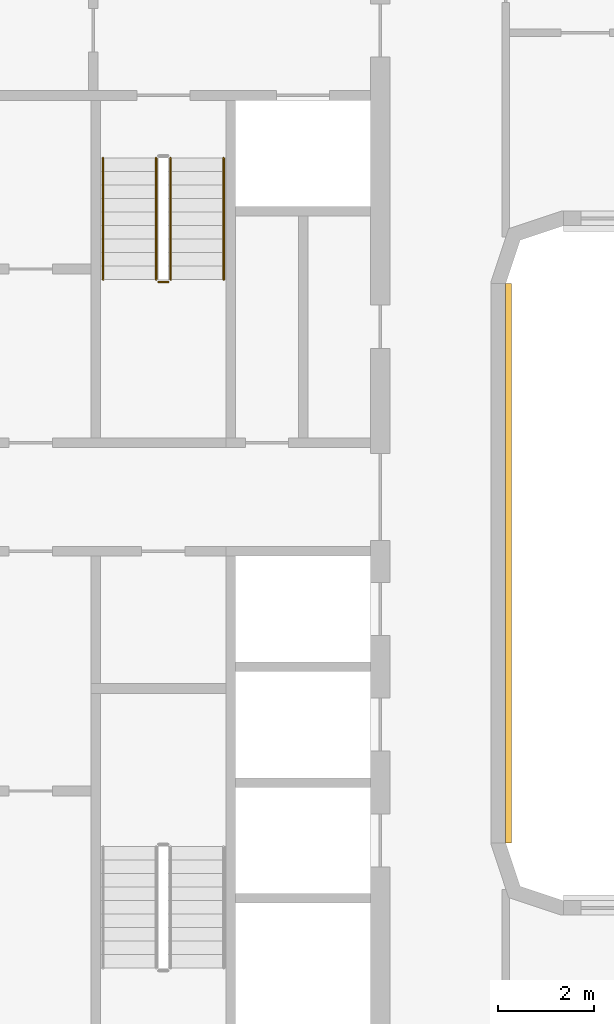
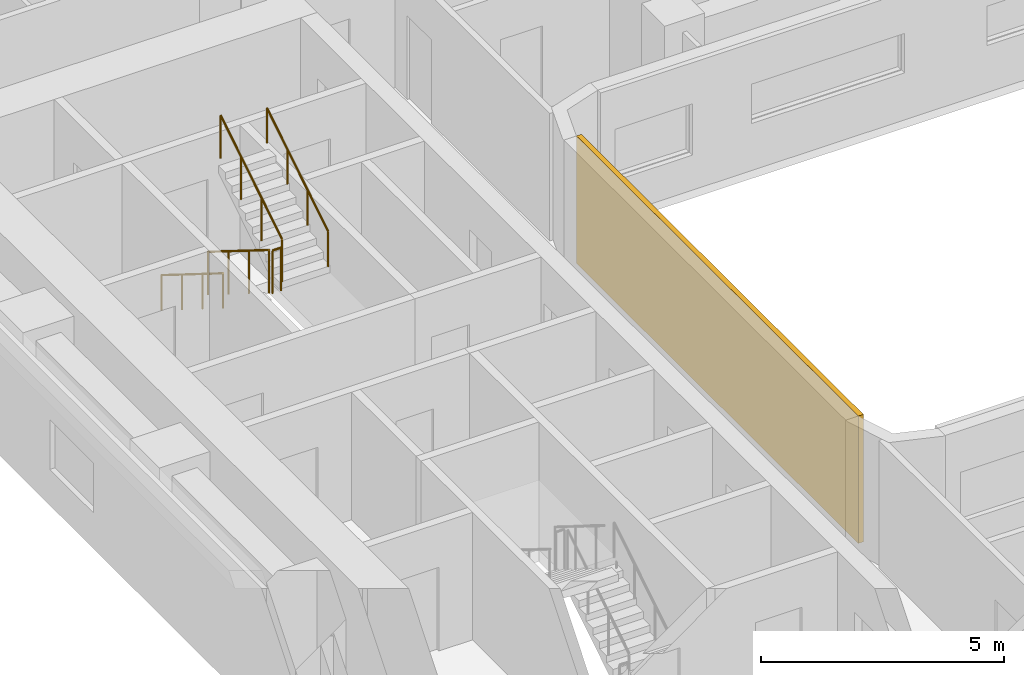
# One storey, part 17 of 23: 5 railings, 1 covering.
"""IFC4 building model written with IfcOpenShell, lengths in metres."""

from ifc_helpers import new_model, si_unit, direction, frame, origin, origin_2d, place, context, subcontext, project, spatial, polyline, circle, outline, extrude, material, layer, layer_set, type_object, element, save


model = new_model("IFC4")

# Units and contexts
model_context = context("Model", 3, precision=1e-05, world=origin(), true_north=direction((0.0, 1.0)))
body_context = subcontext(model_context, "Body", "Model", "MODEL_VIEW")
ifc_project = project(units=[si_unit("LENGTHUNIT", "METRE"), si_unit("AREAUNIT", "SQUARE_METRE"), si_unit("VOLUMEUNIT", "CUBIC_METRE"), si_unit("PLANEANGLEUNIT", "RADIAN"), si_unit("MASSUNIT", "GRAM", prefix="KILO")], contexts=[model_context])

# Site, building, storey
site_placement = place(None, origin())
site = spatial("IfcSite", under=ifc_project, at=site_placement, CompositionType="ELEMENT")
building_placement = place(site_placement, origin())
building = spatial("IfcBuilding", under=site, at=building_placement, Name="Kiln Ring Residences", CompositionType="ELEMENT")
storey_placement = place(building_placement, frame((0.0, 0.0, 118.300048828125)))
storey = spatial("IfcBuildingStorey", under=building, at=storey_placement, Name="L30", CompositionType="ELEMENT", Elevation=118.300048828125)

# Railings
ifc_material_1 = material(Name="Stainless steel", Category="steel")
railing_type_1 = type_object("IfcRailingType", Name="CORE-STAIR-GUARD", PredefinedType="GUARDRAIL", material=ifc_material_1)
railing_1_placement = place(storey_placement, frame((-22.25, 8.39990234375, 0.175048828125)))
element("IfcRailing", 1, at=railing_1_placement, inside=storey, type_object=railing_type_1, Name="L30 W-STN stair guard 1", PredefinedType="GUARDRAIL", context=body_context, shape_type="SweptSolid", body=[
    extrude(circle(Radius=0.02392578125, at=origin_2d()), frame((0.0, 0.0, 1.076171875), z_axis=(0.0, -0.848007534815, 0.529984170421), x_axis=(1.0, 0.0, 0.0)), (0.0, 0.0, 1.0), 2.9716796875),
    extrude(circle(Radius=0.02099609375, at=origin_2d()), origin(), (0.0, 0.0, 1.0), 1.052001953125),
    extrude(circle(Radius=0.02099609375, at=origin_2d()), frame((0.0, -0.840087890625, 0.52490234375)), (0.0, 0.0, 1.0), 1.052001953125),
    extrude(circle(Radius=0.02099609375, at=origin_2d()), frame((0.0, -1.679931640625, 1.050048828125)), (0.0, 0.0, 1.0), 1.052001953125),
    extrude(circle(Radius=0.02099609375, at=origin_2d()), frame((0.0, -2.52001953125, 1.574951171875)), (0.0, 0.0, 1.0), 1.052001953125),
])
railing_2_placement = place(storey_placement, frame((-22.199951171875, 5.830078125, 1.75)))
element("IfcRailing", 2, at=railing_2_placement, inside=storey, type_object=railing_type_1, Name="L30 W-STN stair guard 2", PredefinedType="GUARDRAIL", context=body_context, shape_type="SweptSolid", body=[
    extrude(circle(Radius=0.02392578125, at=origin_2d()), frame((0.0, 0.0, 1.076171875), z_axis=(1.0, 0.0, 0.0), x_axis=(0.0, 1.0, 0.0)), (0.0, 0.0, 1.0), 0.199951171875),
    extrude(circle(Radius=0.02099609375, at=origin_2d()), origin(), (0.0, 0.0, 1.0), 1.052001953125),
    extrude(circle(Radius=0.02099609375, at=origin_2d()), frame((0.199951171875, 0.0, 0.0)), (0.0, 0.0, 1.0), 1.052001953125),
])
railing_3_placement = place(storey_placement, frame((-21.949951171875, 5.8798828125, 1.925048828125)))
element("IfcRailing", 3, at=railing_3_placement, inside=storey, type_object=railing_type_1, Name="L30 W-STN stair guard 3", PredefinedType="GUARDRAIL", context=body_context, shape_type="SweptSolid", body=[
    extrude(circle(Radius=0.02392578125, at=origin_2d()), frame((0.0, 0.0, 1.076171875), z_axis=(0.0, 0.848007534815, 0.529984170421), x_axis=(-1.0, 0.0, 0.0)), (0.0, 0.0, 1.0), 2.9716796875),
    extrude(circle(Radius=0.02099609375, at=origin_2d()), origin(), (0.0, 0.0, 1.0), 1.052001953125),
    extrude(circle(Radius=0.02099609375, at=origin_2d()), frame((0.0, 0.840087890625, 0.52490234375)), (0.0, 0.0, 1.0), 1.052001953125),
    extrude(circle(Radius=0.02099609375, at=origin_2d()), frame((0.0, 1.679931640625, 1.050048828125)), (0.0, 0.0, 1.0), 1.052001953125),
    extrude(circle(Radius=0.02099609375, at=origin_2d()), frame((0.0, 2.52001953125, 1.574951171875)), (0.0, 0.0, 1.0), 1.052001953125),
])
ifc_material_2 = material(Name="Stainless steel", Category="steel")
railing_type_2 = type_object("IfcRailingType", Name="CORE-STAIR-HANDRAIL", PredefinedType="HANDRAIL", material=ifc_material_2)
railing_4_placement = place(storey_placement, frame((-23.35009765625, 8.39990234375, 0.175048828125)))
element("IfcRailing", 4, at=railing_4_placement, inside=storey, type_object=railing_type_2, Name="L30 W-STN stair handrail 1", PredefinedType="HANDRAIL", context=body_context, shape_type="SweptSolid", body=[
    extrude(circle(Radius=0.02392578125, at=origin_2d()), frame((0.0, 0.0, 0.8759765625), z_axis=(0.0, -0.848007534815, 0.529984170421), x_axis=(1.0, 0.0, 0.0)), (0.0, 0.0, 1.0), 2.9716796875),
    extrude(circle(Radius=0.02099609375, at=origin_2d()), origin(), (0.0, 0.0, 1.0), 0.851806640625),
    extrude(circle(Radius=0.02099609375, at=origin_2d()), frame((0.0, -0.840087890625, 0.52490234375)), (0.0, 0.0, 1.0), 0.851806640625),
    extrude(circle(Radius=0.02099609375, at=origin_2d()), frame((0.0, -1.679931640625, 1.050048828125)), (0.0, 0.0, 1.0), 0.851806640625),
    extrude(circle(Radius=0.02099609375, at=origin_2d()), frame((0.0, -2.52001953125, 1.574951171875)), (0.0, 0.0, 1.0), 0.851806640625),
])
railing_5_placement = place(storey_placement, frame((-20.85009765625, 5.8798828125, 1.925048828125)))
element("IfcRailing", 5, at=railing_5_placement, inside=storey, type_object=railing_type_2, Name="L30 W-STN stair handrail 2", PredefinedType="HANDRAIL", context=body_context, shape_type="SweptSolid", body=[
    extrude(circle(Radius=0.02392578125, at=origin_2d()), frame((0.0, 0.0, 0.8759765625), z_axis=(0.0, 0.848007534815, 0.529984170421), x_axis=(-1.0, 0.0, 0.0)), (0.0, 0.0, 1.0), 2.9716796875),
    extrude(circle(Radius=0.02099609375, at=origin_2d()), origin(), (0.0, 0.0, 1.0), 0.851806640625),
    extrude(circle(Radius=0.02099609375, at=origin_2d()), frame((0.0, 0.840087890625, 0.52490234375)), (0.0, 0.0, 1.0), 0.851806640625),
    extrude(circle(Radius=0.02099609375, at=origin_2d()), frame((0.0, 1.679931640625, 1.050048828125)), (0.0, 0.0, 1.0), 0.851806640625),
    extrude(circle(Radius=0.02099609375, at=origin_2d()), frame((0.0, 2.52001953125, 1.574951171875)), (0.0, 0.0, 1.0), 0.851806640625),
])

# Covering
ifc_material_3 = material(Name="Brick masonry, dark clay brick", Category="masonry")
ifc_layer = layer(ifc_material_3, 0.1201171875)
ifc_layer_set = layer_set([ifc_layer], Name="RAINSCREEN PANEL 120")
covering_type = type_object("IfcCoveringType", Name="RAINSCREEN PANEL 120", PredefinedType="CLADDING", material=ifc_layer_set)
covering_placement = place(storey_placement, frame((-14.93994140625, -5.800048828125, 0.0), z_axis=(0.0, 0.0, 1.0), x_axis=(0.0, 1.0, 0.0)))
element("IfcCovering", 6, at=covering_placement, inside=storey, type_object=covering_type, Name="RAINSCREEN L30", PredefinedType="CLADDING", context=body_context, shape_type="SweptSolid", body=[
    extrude(outline(polyline([(0.0, 0.0), (11.60009765625, 0.0), (11.60009765625, 3.199951171875), (0.0, 3.199951171875), (0.0, 0.0)])), frame((0.0, 0.06005859375, 0.0), z_axis=(0.0, -1.0, 0.0), x_axis=(1.0, 0.0, 0.0)), (0.0, 0.0, 1.0), 0.1201171875),
])

save(model, "model.ifc")
